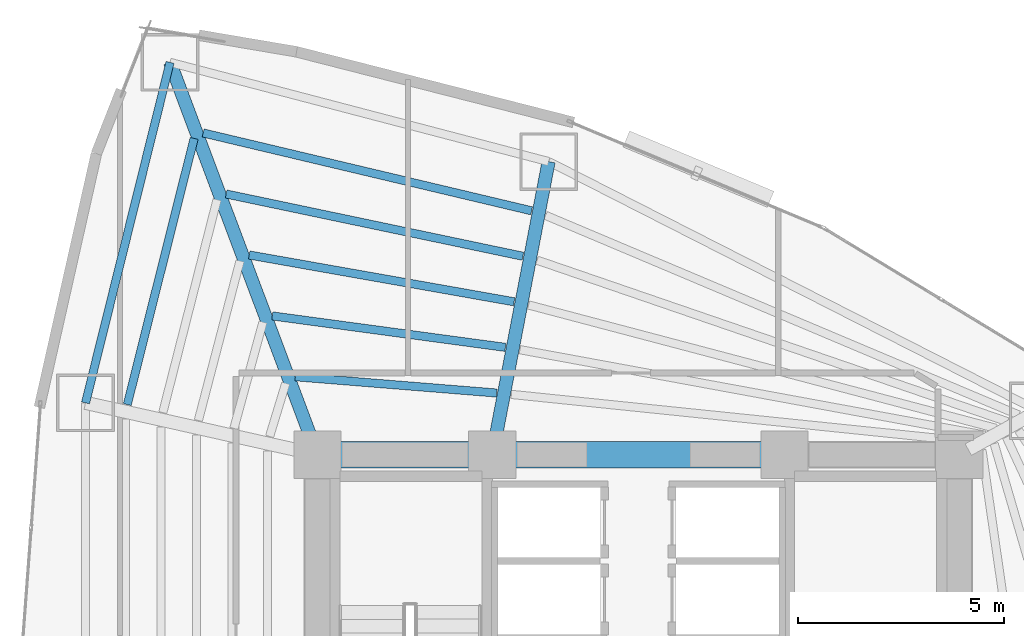
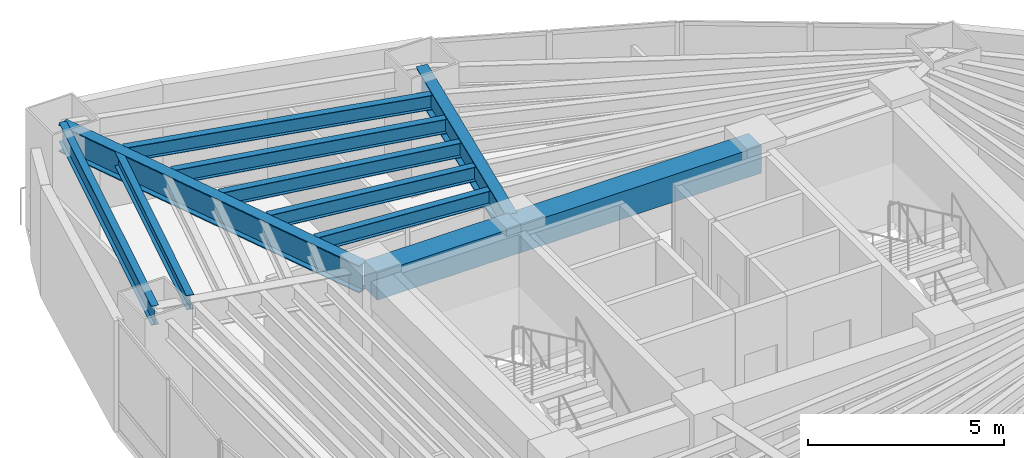
# One storey, part 8 of 17: 11 beams.
"""IFC4 building model written with IfcOpenShell, lengths in metres."""

from ifc_helpers import new_model, si_unit, direction, frame, origin, origin_2d, place, context, subcontext, project, spatial, rectangle, i_section, extrude, material, material_profile, profile_set, type_object, element, save


model = new_model("IFC4")

# Units and contexts
model_context = context("Model", 3, precision=1e-05, world=origin(), true_north=direction((0.0, 1.0)))
body_context = subcontext(model_context, "Body", "Model", "MODEL_VIEW")
ifc_project = project(units=[si_unit("LENGTHUNIT", "METRE"), si_unit("AREAUNIT", "SQUARE_METRE"), si_unit("VOLUMEUNIT", "CUBIC_METRE"), si_unit("PLANEANGLEUNIT", "RADIAN"), si_unit("MASSUNIT", "GRAM", prefix="KILO")], contexts=[model_context])

# Site, building, storey
site_placement = place(None, origin())
site = spatial("IfcSite", under=ifc_project, at=site_placement, CompositionType="ELEMENT")
building_placement = place(site_placement, origin())
building = spatial("IfcBuilding", under=site, at=building_placement, Name="Menara Vayukalpa", CompositionType="ELEMENT")
storey_placement = place(building_placement, frame((0.0, 0.0, 46.199951171875)))
storey = spatial("IfcBuildingStorey", under=building, at=storey_placement, Name="L10", CompositionType="ELEMENT", Elevation=46.199951171875)

# Beams
ifc_material_1 = material(Name="Concrete C60/75", Category="concrete")
ifc_material_profile_1 = material_profile(ifc_material_1, rectangle(XDim=0.64990234375, YDim=0.85009765625, at=origin_2d()), Name="RC 650x850")
ifc_profile_set_1 = profile_set([ifc_material_profile_1], Name="Concrete C60/75")
beam_type_1 = type_object("IfcBeamType", Name="BM-CB1", PredefinedType="BEAM", material=ifc_profile_set_1)
beam_1_placement = place(storey_placement, frame((17.800048828125, 26.800048828125, 3.045166015625), z_axis=(1.0, 0.0, 0.0), x_axis=(0.0, 1.0, 0.0)))
element("IfcBeam", 1, at=beam_1_placement, inside=storey, type_object=beam_type_1, Name="L10 Core Tie Beam CBR4", PredefinedType="BEAM", context=body_context, shape_type="SweptSolid", body=[
    extrude(rectangle(XDim=0.64990234375, YDim=0.85009765625, at=origin_2d()), origin(), (0.0, 0.0, 1.0), 4.25),
])
beam_2_placement = place(storey_placement, frame((22.050048828125, 26.800048828125, 3.045166015625), z_axis=(1.0, 0.0, 0.0), x_axis=(0.0, 1.0, 0.0)))
element("IfcBeam", 2, at=beam_2_placement, inside=storey, type_object=beam_type_1, Name="L10 Core Tie Beam CBR5", PredefinedType="BEAM", context=body_context, shape_type="SweptSolid", body=[
    extrude(rectangle(XDim=0.64990234375, YDim=0.85009765625, at=origin_2d()), origin(), (0.0, 0.0, 1.0), 7.099853515625),
])
ifc_material_2 = material(Name="Steel S355", Category="steel")
ifc_material_profile_2 = material_profile(ifc_material_2, i_section(OverallWidth=0.320068359375, OverallDepth=0.85009765625, WebThickness=0.01611328125, FlangeThickness=0.030029296875, at=origin_2d()), Name="WF 850x320x16x30")
ifc_profile_set_2 = profile_set([ifc_material_profile_2], Name="Steel S355")
beam_type_2 = type_object("IfcBeamType", Name="BM-PG2", PredefinedType="BEAM", material=ifc_profile_set_2)
beam_3_placement = place(storey_placement, frame((22.09716796875, 27.04541015625, 3.045166015625), z_axis=(0.188803432672, 0.982014899995, 0.0), x_axis=(-0.982014899995, 0.188803432672, 0.0)))
element("IfcBeam", 3, at=beam_3_placement, inside=storey, type_object=beam_type_2, Name="L10 Primary Radial Girder RG03", PredefinedType="BEAM", context=body_context, shape_type="SweptSolid", body=[
    extrude(i_section(OverallWidth=0.320068359375, OverallDepth=0.85009765625, WebThickness=0.01611328125, FlangeThickness=0.030029296875, at=origin_2d()), origin(), (0.0, 0.0, 1.0), 7.00341796875),
])
beam_4_placement = place(storey_placement, frame((17.712158203125, 27.033935546875, 3.045166015625), z_axis=(-0.351734656537, 0.93609974436, 0.0), x_axis=(-0.93609974436, -0.351734656537, 0.0)))
element("IfcBeam", 4, at=beam_4_placement, inside=storey, type_object=beam_type_2, Name="L10 Primary Radial Girder RG04", PredefinedType="BEAM", context=body_context, shape_type="SweptSolid", body=[
    extrude(i_section(OverallWidth=0.320068359375, OverallDepth=0.85009765625, WebThickness=0.01611328125, FlangeThickness=0.030029296875, at=origin_2d()), origin(), (0.0, 0.0, 1.0), 9.935302734375),
])
ifc_material_3 = material(Name="Steel S355", Category="steel")
ifc_material_profile_3 = material_profile(ifc_material_3, i_section(OverallWidth=0.199951171875, OverallDepth=0.449951171875, WebThickness=0.009033203125, FlangeThickness=0.013916015625, at=origin_2d()), Name="WF 450x200x9x14")
ifc_profile_set_3 = profile_set([ifc_material_profile_3], Name="Steel S355")
beam_type_3 = type_object("IfcBeamType", Name="BM-SJ1", PredefinedType="JOIST", material=ifc_profile_set_3)
beam_5_placement = place(storey_placement, frame((22.15576171875, 28.2978515625, 3.2451171875), z_axis=(-0.996745483939, 0.08061290373, 0.0), x_axis=(-0.08061290373, -0.996745483939, 0.0)))
element("IfcBeam", 5, at=beam_5_placement, inside=storey, type_object=beam_type_3, Name="L10 Secondary Floor Joist SJ03-1", PredefinedType="JOIST", context=body_context, shape_type="SweptSolid", body=[
    extrude(i_section(OverallWidth=0.199951171875, OverallDepth=0.449951171875, WebThickness=0.009033203125, FlangeThickness=0.013916015625, at=origin_2d()), origin(), (0.0, 0.0, 1.0), 4.9091796875),
])
beam_6_placement = place(storey_placement, frame((22.368408203125, 29.40771484375, 3.2451171875), z_axis=(-0.991021966654, 0.13369914588, 0.0), x_axis=(-0.13369914588, -0.991021966654, 0.0)))
element("IfcBeam", 6, at=beam_6_placement, inside=storey, type_object=beam_type_3, Name="L10 Secondary Floor Joist SJ03-2", PredefinedType="JOIST", context=body_context, shape_type="SweptSolid", body=[
    extrude(i_section(OverallWidth=0.199951171875, OverallDepth=0.449951171875, WebThickness=0.009033203125, FlangeThickness=0.013916015625, at=origin_2d()), origin(), (0.0, 0.0, 1.0), 5.71728515625),
])
beam_7_placement = place(storey_placement, frame((22.5810546875, 30.515380859375, 3.2451171875), z_axis=(-0.984753096925, 0.173957862993, 0.0), x_axis=(-0.173957862993, -0.984753096925, 0.0)))
element("IfcBeam", 7, at=beam_7_placement, inside=storey, type_object=beam_type_3, Name="L10 Secondary Floor Joist SJ03-3", PredefinedType="JOIST", context=body_context, shape_type="SweptSolid", body=[
    extrude(i_section(OverallWidth=0.199951171875, OverallDepth=0.449951171875, WebThickness=0.009033203125, FlangeThickness=0.013916015625, at=origin_2d()), origin(), (0.0, 0.0, 1.0), 6.53857421875),
])
beam_8_placement = place(storey_placement, frame((22.793701171875, 31.62158203125, 3.2451171875), z_axis=(-0.978676146728, 0.205409346977, 0.0), x_axis=(-0.205409346977, -0.978676146728, 0.0)))
element("IfcBeam", 8, at=beam_8_placement, inside=storey, type_object=beam_type_3, Name="L10 Secondary Floor Joist SJ03-4", PredefinedType="JOIST", context=body_context, shape_type="SweptSolid", body=[
    extrude(i_section(OverallWidth=0.199951171875, OverallDepth=0.449951171875, WebThickness=0.009033203125, FlangeThickness=0.013916015625, at=origin_2d()), origin(), (0.0, 0.0, 1.0), 7.369140625),
])
beam_9_placement = place(storey_placement, frame((23.00634765625, 32.726318359375, 3.2451171875), z_axis=(-0.97303971213, 0.23063763487, 0.0), x_axis=(-0.23063763487, -0.97303971213, 0.0)))
element("IfcBeam", 9, at=beam_9_placement, inside=storey, type_object=beam_type_3, Name="L10 Secondary Floor Joist SJ03-5", PredefinedType="JOIST", context=body_context, shape_type="SweptSolid", body=[
    extrude(i_section(OverallWidth=0.199951171875, OverallDepth=0.449951171875, WebThickness=0.009033203125, FlangeThickness=0.013916015625, at=origin_2d()), origin(), (0.0, 0.0, 1.0), 8.205810546875),
])
beam_10_placement = place(storey_placement, frame((14.802734375, 34.485595703125, 3.2451171875), z_axis=(-0.243517460774, -0.96989651319, 0.0), x_axis=(0.96989651319, -0.243517460774, 0.0)))
element("IfcBeam", 10, at=beam_10_placement, inside=storey, type_object=beam_type_3, Name="L10 Secondary Floor Joist SJ04-5", PredefinedType="JOIST", context=body_context, shape_type="SweptSolid", body=[
    extrude(i_section(OverallWidth=0.199951171875, OverallDepth=0.449951171875, WebThickness=0.009033203125, FlangeThickness=0.013916015625, at=origin_2d()), origin(), (0.0, 0.0, 1.0), 6.6689453125),
])
ifc_material_4 = material(Name="Steel S355", Category="steel")
ifc_material_profile_4 = material_profile(ifc_material_4, i_section(OverallWidth=0.199951171875, OverallDepth=0.60009765625, WebThickness=0.010986328125, FlangeThickness=0.01708984375, at=origin_2d()), Name="WF 600x200x11x17")
ifc_profile_set_4 = profile_set([ifc_material_profile_4], Name="Steel S355")
beam_type_4 = type_object("IfcBeamType", Name="BM-SP1", PredefinedType="SPANDREL", material=ifc_profile_set_4)
beam_11_placement = place(storey_placement, frame((14.217529296875, 36.33447265625, 3.170166015625), z_axis=(-0.240823860364, -0.970568837476, 0.0), x_axis=(0.970568837476, -0.240823860364, 0.0)))
element("IfcBeam", 11, at=beam_11_placement, inside=storey, type_object=beam_type_4, Name="L10 Perimeter Spandrel Beam SP04", PredefinedType="SPANDREL", context=body_context, shape_type="SweptSolid", body=[
    extrude(i_section(OverallWidth=0.199951171875, OverallDepth=0.60009765625, WebThickness=0.010986328125, FlangeThickness=0.01708984375, at=origin_2d()), origin(), (0.0, 0.0, 1.0), 8.52587890625),
])

save(model, "model.ifc")
